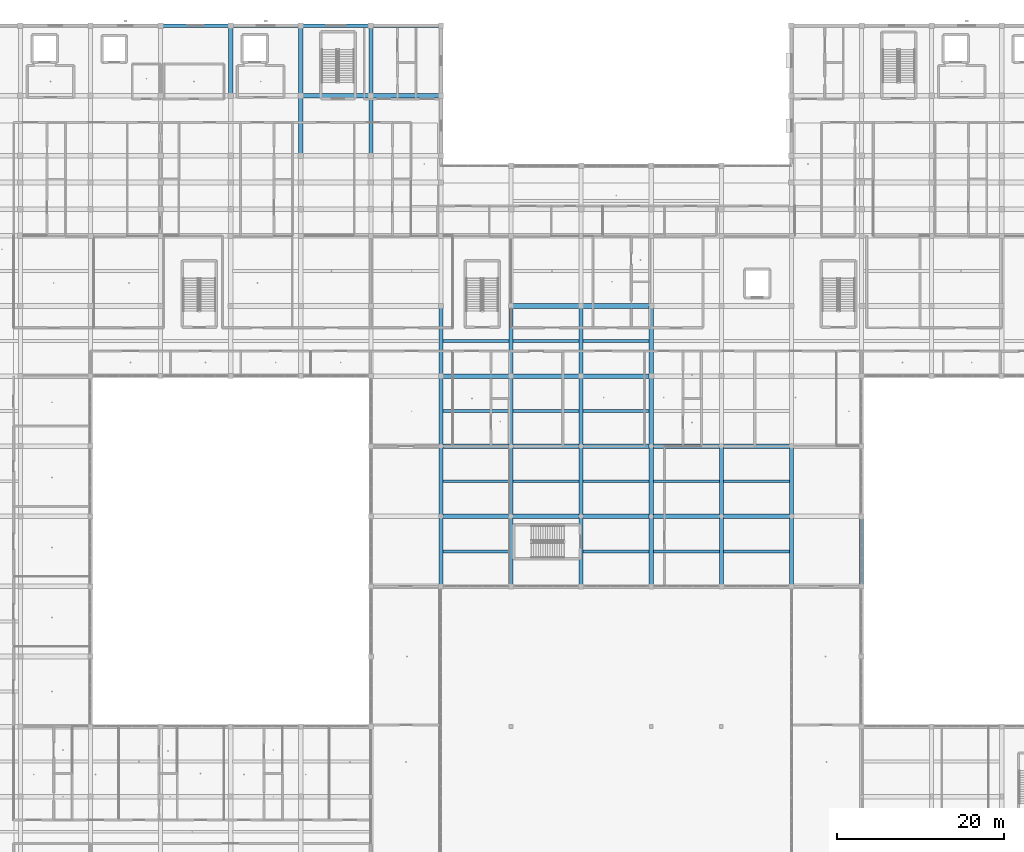
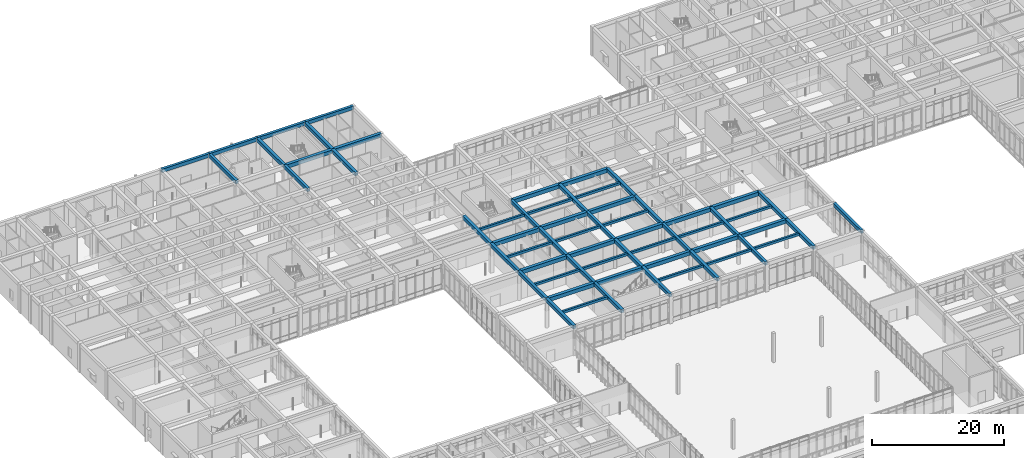
# One storey, part 37 of 157: 62 beams.
"""IFC4 building model written with IfcOpenShell, lengths in metres."""

from ifc_helpers import new_model, si_unit, direction, frame, origin, origin_2d, place, context, subcontext, project, spatial, rectangle, extrude, material, material_profile, profile_set, type_object, element, save


model = new_model("IFC4")

# Units and contexts
model_context = context("Model", 3, precision=1e-05, world=origin(), true_north=direction((0.0, 1.0)))
body_context = subcontext(model_context, "Body", "Model", "MODEL_VIEW")
ifc_project = project(units=[si_unit("LENGTHUNIT", "METRE"), si_unit("AREAUNIT", "SQUARE_METRE"), si_unit("VOLUMEUNIT", "CUBIC_METRE"), si_unit("PLANEANGLEUNIT", "RADIAN"), si_unit("MASSUNIT", "GRAM", prefix="KILO")], contexts=[model_context])

# Site, building, storey
site_placement = place(None, origin())
site = spatial("IfcSite", under=ifc_project, at=site_placement, CompositionType="ELEMENT")
building_placement = place(site_placement, origin())
building = spatial("IfcBuilding", under=site, at=building_placement, Name="Varncliffe General Hospital", CompositionType="ELEMENT")
storey_placement = place(building_placement, frame((0.0, 0.0, 5.39990234375)))
storey = spatial("IfcBuildingStorey", under=building, at=storey_placement, Name="L01", CompositionType="ELEMENT", Elevation=5.39990234375)

# Beams
ifc_material = material(Name="Concrete C35/45 (CSA A23.1 35 MPa)", Category="concrete")
ifc_material_profile_1 = material_profile(ifc_material, rectangle(XDim=0.5, YDim=0.64990234375, at=origin_2d()), Name="RC 500x650")
ifc_profile_set_1 = profile_set([ifc_material_profile_1], Name="Concrete C35/45 (CSA A23.1 35 MPa)")
beam_type_1 = type_object("IfcBeamType", Name="Beam B29 (Int RC 500x650)", PredefinedType="BEAM", material=ifc_profile_set_1)
beam_1_placement = place(storey_placement, frame((42.0, 116.39990234375, 5.0751953125), z_axis=(0.0, 1.0, 0.0), x_axis=(-1.0, 0.0, 0.0)))
element("IfcBeam", 1, at=beam_1_placement, inside=storey, type_object=beam_type_1, Name="L01 Primary Beam B29-343", PredefinedType="BEAM", context=body_context, shape_type="SweptSolid", body=[
    extrude(rectangle(XDim=0.5, YDim=0.64990234375, at=origin_2d()), origin(), (0.0, 0.0, 1.0), 8.400146484375),
])
beam_2_placement = place(storey_placement, frame((50.39990234375, 109.199951171875, 5.0751953125), z_axis=(0.0, 1.0, 0.0), x_axis=(-1.0, 0.0, 0.0)))
element("IfcBeam", 2, at=beam_2_placement, inside=storey, type_object=beam_type_1, Name="L01 Primary Beam B29-351", PredefinedType="BEAM", context=body_context, shape_type="SweptSolid", body=[
    extrude(rectangle(XDim=0.5, YDim=0.64990234375, at=origin_2d()), origin(), (0.0, 0.0, 1.0), 7.199951171875),
])
beam_3_placement = place(storey_placement, frame((50.39990234375, 116.39990234375, 5.0751953125), z_axis=(0.0, 1.0, 0.0), x_axis=(-1.0, 0.0, 0.0)))
element("IfcBeam", 3, at=beam_3_placement, inside=storey, type_object=beam_type_1, Name="L01 Primary Beam B29-352", PredefinedType="BEAM", context=body_context, shape_type="SweptSolid", body=[
    extrude(rectangle(XDim=0.5, YDim=0.64990234375, at=origin_2d()), origin(), (0.0, 0.0, 1.0), 8.400146484375),
])
beam_4_placement = place(storey_placement, frame((58.800048828125, 109.199951171875, 5.0751953125), z_axis=(0.0, 1.0, 0.0), x_axis=(-1.0, 0.0, 0.0)))
element("IfcBeam", 4, at=beam_4_placement, inside=storey, type_object=beam_type_1, Name="L01 Primary Beam B29-367", PredefinedType="BEAM", context=body_context, shape_type="SweptSolid", body=[
    extrude(rectangle(XDim=0.5, YDim=0.64990234375, at=origin_2d()), origin(), (0.0, 0.0, 1.0), 7.199951171875),
])
beam_5_placement = place(storey_placement, frame((58.800048828125, 116.39990234375, 5.0751953125), z_axis=(0.0, 1.0, 0.0), x_axis=(-1.0, 0.0, 0.0)))
element("IfcBeam", 5, at=beam_5_placement, inside=storey, type_object=beam_type_1, Name="L01 Primary Beam B29-368", PredefinedType="BEAM", context=body_context, shape_type="SweptSolid", body=[
    extrude(rectangle(XDim=0.5, YDim=0.64990234375, at=origin_2d()), origin(), (0.0, 0.0, 1.0), 8.400146484375),
])
for number, where, z_axis, x_axis, name in (
    (6, (67.199951171875, 57.60009765625, 5.0751953125), (0.0, 1.0, 0.0), (-1.0, 0.0, 0.0), "L01 Primary Beam B29-369"),
    (7, (67.199951171875, 66.0, 5.0751953125), (0.0, 1.0, 0.0), (-1.0, 0.0, 0.0), "L01 Primary Beam B29-370"),
):
    element("IfcBeam", number, at=place(storey_placement, frame(where, z_axis=z_axis, x_axis=x_axis)), inside=storey, type_object=beam_type_1, Name=name, PredefinedType="BEAM", context=body_context, shape_type="SweptSolid", body=[
        extrude(rectangle(XDim=0.5, YDim=0.64990234375, at=origin_2d()), origin(), (0.0, 0.0, 1.0), 8.39990234375),
    ])
beam_6_placement = place(storey_placement, frame((67.199951171875, 74.39990234375, 5.0751953125), z_axis=(0.0, 1.0, 0.0), x_axis=(-1.0, 0.0, 0.0)))
element("IfcBeam", 8, at=beam_6_placement, inside=storey, type_object=beam_type_1, Name="L01 Primary Beam B29-371", PredefinedType="BEAM", context=body_context, shape_type="SweptSolid", body=[
    extrude(rectangle(XDim=0.5, YDim=0.64990234375, at=origin_2d()), origin(), (0.0, 0.0, 1.0), 8.400146484375),
])
for number, where, z_axis, x_axis, name in (
    (9, (67.199951171875, 82.800048828125, 5.0751953125), (0.0, 1.0, 0.0), (-1.0, 0.0, 0.0), "L01 Primary Beam B29-372"),
    (10, (75.60009765625, 57.60009765625, 5.0751953125), (0.0, 1.0, 0.0), (-1.0, 0.0, 0.0), "L01 Primary Beam B29-379"),
    (11, (75.60009765625, 66.0, 5.0751953125), (0.0, 1.0, 0.0), (-1.0, 0.0, 0.0), "L01 Primary Beam B29-380"),
):
    element("IfcBeam", number, at=place(storey_placement, frame(where, z_axis=z_axis, x_axis=x_axis)), inside=storey, type_object=beam_type_1, Name=name, PredefinedType="BEAM", context=body_context, shape_type="SweptSolid", body=[
        extrude(rectangle(XDim=0.5, YDim=0.64990234375, at=origin_2d()), origin(), (0.0, 0.0, 1.0), 8.39990234375),
    ])
beam_7_placement = place(storey_placement, frame((75.60009765625, 74.39990234375, 5.0751953125), z_axis=(0.0, 1.0, 0.0), x_axis=(-1.0, 0.0, 0.0)))
element("IfcBeam", 12, at=beam_7_placement, inside=storey, type_object=beam_type_1, Name="L01 Primary Beam B29-381", PredefinedType="BEAM", context=body_context, shape_type="SweptSolid", body=[
    extrude(rectangle(XDim=0.5, YDim=0.64990234375, at=origin_2d()), origin(), (0.0, 0.0, 1.0), 8.400146484375),
])
for number, where, z_axis, x_axis, name in (
    (13, (75.60009765625, 82.800048828125, 5.0751953125), (0.0, 1.0, 0.0), (-1.0, 0.0, 0.0), "L01 Primary Beam B29-382"),
    (14, (84.0, 57.60009765625, 5.0751953125), (0.0, 1.0, 0.0), (-1.0, 0.0, 0.0), "L01 Primary Beam B29-386"),
    (15, (84.0, 66.0, 5.0751953125), (0.0, 1.0, 0.0), (-1.0, 0.0, 0.0), "L01 Primary Beam B29-387"),
):
    element("IfcBeam", number, at=place(storey_placement, frame(where, z_axis=z_axis, x_axis=x_axis)), inside=storey, type_object=beam_type_1, Name=name, PredefinedType="BEAM", context=body_context, shape_type="SweptSolid", body=[
        extrude(rectangle(XDim=0.5, YDim=0.64990234375, at=origin_2d()), origin(), (0.0, 0.0, 1.0), 8.39990234375),
    ])
beam_8_placement = place(storey_placement, frame((84.0, 74.39990234375, 5.0751953125), z_axis=(0.0, 1.0, 0.0), x_axis=(-1.0, 0.0, 0.0)))
element("IfcBeam", 16, at=beam_8_placement, inside=storey, type_object=beam_type_1, Name="L01 Primary Beam B29-388", PredefinedType="BEAM", context=body_context, shape_type="SweptSolid", body=[
    extrude(rectangle(XDim=0.5, YDim=0.64990234375, at=origin_2d()), origin(), (0.0, 0.0, 1.0), 8.400146484375),
])
for number, where, z_axis, x_axis, name in (
    (17, (84.0, 82.800048828125, 5.0751953125), (0.0, 1.0, 0.0), (-1.0, 0.0, 0.0), "L01 Primary Beam B29-389"),
    (18, (92.39990234375, 57.60009765625, 5.0751953125), (0.0, 1.0, 0.0), (-1.0, 0.0, 0.0), "L01 Primary Beam B29-393"),
    (19, (92.39990234375, 66.0, 5.0751953125), (0.0, 1.0, 0.0), (-1.0, 0.0, 0.0), "L01 Primary Beam B29-394"),
):
    element("IfcBeam", number, at=place(storey_placement, frame(where, z_axis=z_axis, x_axis=x_axis)), inside=storey, type_object=beam_type_1, Name=name, PredefinedType="BEAM", context=body_context, shape_type="SweptSolid", body=[
        extrude(rectangle(XDim=0.5, YDim=0.64990234375, at=origin_2d()), origin(), (0.0, 0.0, 1.0), 8.39990234375),
    ])
beam_9_placement = place(storey_placement, frame((92.39990234375, 74.39990234375, 5.0751953125), z_axis=(0.0, 1.0, 0.0), x_axis=(-1.0, 0.0, 0.0)))
element("IfcBeam", 20, at=beam_9_placement, inside=storey, type_object=beam_type_1, Name="L01 Primary Beam B29-395", PredefinedType="BEAM", context=body_context, shape_type="SweptSolid", body=[
    extrude(rectangle(XDim=0.5, YDim=0.64990234375, at=origin_2d()), origin(), (0.0, 0.0, 1.0), 8.400146484375),
])
for number, where, z_axis, x_axis, name in (
    (21, (92.39990234375, 82.800048828125, 5.0751953125), (0.0, 1.0, 0.0), (-1.0, 0.0, 0.0), "L01 Primary Beam B29-396"),
    (22, (100.800048828125, 57.60009765625, 5.0751953125), (0.0, 1.0, 0.0), (-1.0, 0.0, 0.0), "L01 Primary Beam B29-400"),
    (23, (100.800048828125, 66.0, 5.0751953125), (0.0, 1.0, 0.0), (-1.0, 0.0, 0.0), "L01 Primary Beam B29-401"),
    (24, (109.199951171875, 57.60009765625, 5.0751953125), (0.0, 1.0, 0.0), (-1.0, 0.0, 0.0), "L01 Primary Beam B29-407"),
    (25, (109.199951171875, 66.0, 5.0751953125), (0.0, 1.0, 0.0), (-1.0, 0.0, 0.0), "L01 Primary Beam B29-408"),
):
    element("IfcBeam", number, at=place(storey_placement, frame(where, z_axis=z_axis, x_axis=x_axis)), inside=storey, type_object=beam_type_1, Name=name, PredefinedType="BEAM", context=body_context, shape_type="SweptSolid", body=[
        extrude(rectangle(XDim=0.5, YDim=0.64990234375, at=origin_2d()), origin(), (0.0, 0.0, 1.0), 8.39990234375),
    ])
ifc_material_profile_2 = material_profile(ifc_material, rectangle(XDim=0.550048828125, YDim=0.699951171875, at=origin_2d()), Name="RC 550x700")
ifc_profile_set_2 = profile_set([ifc_material_profile_2], Name="Concrete C35/45 (CSA A23.1 35 MPa)")
beam_type_2 = type_object("IfcBeamType", Name="Beam B35 (Int RC 550x700)", PredefinedType="BEAM", material=ifc_profile_set_2)
beam_10_placement = place(storey_placement, frame((67.199951171875, 66.0, 5.050048828125), z_axis=(1.0, 0.0, 0.0), x_axis=(0.0, 1.0, 0.0)))
element("IfcBeam", 26, at=beam_10_placement, inside=storey, type_object=beam_type_2, Name="L01 Primary Beam B35-90", PredefinedType="BEAM", context=body_context, shape_type="SweptSolid", body=[
    extrude(rectangle(XDim=0.550048828125, YDim=0.699951171875, at=origin_2d()), origin(), (0.0, 0.0, 1.0), 8.400146484375),
])
for number, where, z_axis, x_axis, name in (
    (27, (75.60009765625, 66.0, 5.050048828125), (1.0, 0.0, 0.0), (0.0, 1.0, 0.0), "L01 Primary Beam B35-91"),
    (28, (84.0, 66.0, 5.050048828125), (1.0, 0.0, 0.0), (0.0, 1.0, 0.0), "L01 Primary Beam B35-92"),
):
    element("IfcBeam", number, at=place(storey_placement, frame(where, z_axis=z_axis, x_axis=x_axis)), inside=storey, type_object=beam_type_2, Name=name, PredefinedType="BEAM", context=body_context, shape_type="SweptSolid", body=[
        extrude(rectangle(XDim=0.550048828125, YDim=0.699951171875, at=origin_2d()), origin(), (0.0, 0.0, 1.0), 8.39990234375),
    ])
beam_11_placement = place(storey_placement, frame((92.39990234375, 66.0, 5.050048828125), z_axis=(1.0, 0.0, 0.0), x_axis=(0.0, 1.0, 0.0)))
element("IfcBeam", 29, at=beam_11_placement, inside=storey, type_object=beam_type_2, Name="L01 Primary Beam B35-93", PredefinedType="BEAM", context=body_context, shape_type="SweptSolid", body=[
    extrude(rectangle(XDim=0.550048828125, YDim=0.699951171875, at=origin_2d()), origin(), (0.0, 0.0, 1.0), 8.400146484375),
])
beam_12_placement = place(storey_placement, frame((100.800048828125, 66.0, 5.050048828125), z_axis=(1.0, 0.0, 0.0), x_axis=(0.0, 1.0, 0.0)))
element("IfcBeam", 30, at=beam_12_placement, inside=storey, type_object=beam_type_2, Name="L01 Primary Beam B35-94", PredefinedType="BEAM", context=body_context, shape_type="SweptSolid", body=[
    extrude(rectangle(XDim=0.550048828125, YDim=0.699951171875, at=origin_2d()), origin(), (0.0, 0.0, 1.0), 8.39990234375),
])
beam_13_placement = place(storey_placement, frame((67.199951171875, 74.39990234375, 5.050048828125), z_axis=(1.0, 0.0, 0.0), x_axis=(0.0, 1.0, 0.0)))
element("IfcBeam", 31, at=beam_13_placement, inside=storey, type_object=beam_type_2, Name="L01 Primary Beam B35-103", PredefinedType="BEAM", context=body_context, shape_type="SweptSolid", body=[
    extrude(rectangle(XDim=0.550048828125, YDim=0.699951171875, at=origin_2d()), origin(), (0.0, 0.0, 1.0), 8.400146484375),
])
for number, where, z_axis, x_axis, name in (
    (32, (75.60009765625, 74.39990234375, 5.050048828125), (1.0, 0.0, 0.0), (0.0, 1.0, 0.0), "L01 Primary Beam B35-104"),
    (33, (84.0, 74.39990234375, 5.050048828125), (1.0, 0.0, 0.0), (0.0, 1.0, 0.0), "L01 Primary Beam B35-105"),
):
    element("IfcBeam", number, at=place(storey_placement, frame(where, z_axis=z_axis, x_axis=x_axis)), inside=storey, type_object=beam_type_2, Name=name, PredefinedType="BEAM", context=body_context, shape_type="SweptSolid", body=[
        extrude(rectangle(XDim=0.550048828125, YDim=0.699951171875, at=origin_2d()), origin(), (0.0, 0.0, 1.0), 8.39990234375),
    ])
beam_14_placement = place(storey_placement, frame((92.39990234375, 74.39990234375, 5.050048828125), z_axis=(1.0, 0.0, 0.0), x_axis=(0.0, 1.0, 0.0)))
element("IfcBeam", 34, at=beam_14_placement, inside=storey, type_object=beam_type_2, Name="L01 Primary Beam B35-106", PredefinedType="BEAM", context=body_context, shape_type="SweptSolid", body=[
    extrude(rectangle(XDim=0.550048828125, YDim=0.699951171875, at=origin_2d()), origin(), (0.0, 0.0, 1.0), 8.400146484375),
])
beam_15_placement = place(storey_placement, frame((100.800048828125, 74.39990234375, 5.050048828125), z_axis=(1.0, 0.0, 0.0), x_axis=(0.0, 1.0, 0.0)))
element("IfcBeam", 35, at=beam_15_placement, inside=storey, type_object=beam_type_2, Name="L01 Primary Beam B35-107", PredefinedType="BEAM", context=body_context, shape_type="SweptSolid", body=[
    extrude(rectangle(XDim=0.550048828125, YDim=0.699951171875, at=origin_2d()), origin(), (0.0, 0.0, 1.0), 8.39990234375),
])
beam_16_placement = place(storey_placement, frame((67.199951171875, 82.800048828125, 5.050048828125), z_axis=(1.0, 0.0, 0.0), x_axis=(0.0, 1.0, 0.0)))
element("IfcBeam", 36, at=beam_16_placement, inside=storey, type_object=beam_type_2, Name="L01 Primary Beam B35-120", PredefinedType="BEAM", context=body_context, shape_type="SweptSolid", body=[
    extrude(rectangle(XDim=0.550048828125, YDim=0.699951171875, at=origin_2d()), origin(), (0.0, 0.0, 1.0), 8.400146484375),
])
for number, where, z_axis, x_axis, name in (
    (37, (75.60009765625, 82.800048828125, 5.050048828125), (1.0, 0.0, 0.0), (0.0, 1.0, 0.0), "L01 Primary Beam B35-121"),
    (38, (84.0, 82.800048828125, 5.050048828125), (1.0, 0.0, 0.0), (0.0, 1.0, 0.0), "L01 Primary Beam B35-122"),
    (39, (75.60009765625, 91.199951171875, 5.050048828125), (1.0, 0.0, 0.0), (0.0, 1.0, 0.0), "L01 Primary Beam B35-140"),
    (40, (84.0, 91.199951171875, 5.050048828125), (1.0, 0.0, 0.0), (0.0, 1.0, 0.0), "L01 Primary Beam B35-141"),
):
    element("IfcBeam", number, at=place(storey_placement, frame(where, z_axis=z_axis, x_axis=x_axis)), inside=storey, type_object=beam_type_2, Name=name, PredefinedType="BEAM", context=body_context, shape_type="SweptSolid", body=[
        extrude(rectangle(XDim=0.550048828125, YDim=0.699951171875, at=origin_2d()), origin(), (0.0, 0.0, 1.0), 8.39990234375),
    ])
beam_17_placement = place(storey_placement, frame((50.39990234375, 116.39990234375, 5.050048828125), z_axis=(1.0, 0.0, 0.0), x_axis=(0.0, 1.0, 0.0)))
element("IfcBeam", 41, at=beam_17_placement, inside=storey, type_object=beam_type_2, Name="L01 Primary Beam B35-233", PredefinedType="BEAM", context=body_context, shape_type="SweptSolid", body=[
    extrude(rectangle(XDim=0.550048828125, YDim=0.699951171875, at=origin_2d()), origin(), (0.0, 0.0, 1.0), 8.400146484375),
])
beam_18_placement = place(storey_placement, frame((58.800048828125, 116.39990234375, 5.050048828125), z_axis=(1.0, 0.0, 0.0), x_axis=(0.0, 1.0, 0.0)))
element("IfcBeam", 42, at=beam_18_placement, inside=storey, type_object=beam_type_2, Name="L01 Primary Beam B35-234", PredefinedType="BEAM", context=body_context, shape_type="SweptSolid", body=[
    extrude(rectangle(XDim=0.550048828125, YDim=0.699951171875, at=origin_2d()), origin(), (0.0, 0.0, 1.0), 8.39990234375),
])
ifc_material_profile_3 = material_profile(ifc_material, rectangle(XDim=0.35009765625, YDim=0.449951171875, at=origin_2d()), Name="RC 350x450")
ifc_profile_set_3 = profile_set([ifc_material_profile_3], Name="Concrete C35/45 (CSA A23.1 35 MPa)")
beam_type_3 = type_object("IfcBeamType", Name="Joist J55 (Int RC 350x450)", PredefinedType="JOIST", material=ifc_profile_set_3)
for number, where, z_axis, x_axis, name in (
    (43, (67.447998046875, 61.800048828125, 5.175048828125), (1.0, 0.0, 0.0), (0.0, 1.0, 0.0), "L01 Secondary Floor Rib J55-32"),
    (44, (67.447998046875, 70.199951171875, 5.175048828125), (1.0, 0.0, 0.0), (0.0, 1.0, 0.0), "L01 Secondary Floor Rib J55-33"),
    (45, (67.447998046875, 78.60009765625, 5.175048828125), (1.0, 0.0, 0.0), (0.0, 1.0, 0.0), "L01 Secondary Floor Rib J55-34"),
    (46, (67.447998046875, 87.0, 5.175048828125), (1.0, 0.0, 0.0), (0.0, 1.0, 0.0), "L01 Secondary Floor Rib J55-35"),
    (47, (75.847900390625, 70.199951171875, 5.175048828125), (1.0, 0.0, 0.0), (0.0, 1.0, 0.0), "L01 Secondary Floor Rib J55-36"),
    (48, (75.847900390625, 78.60009765625, 5.175048828125), (1.0, 0.0, 0.0), (0.0, 1.0, 0.0), "L01 Secondary Floor Rib J55-37"),
    (49, (75.847900390625, 87.0, 5.175048828125), (1.0, 0.0, 0.0), (0.0, 1.0, 0.0), "L01 Secondary Floor Rib J55-38"),
    (50, (84.248046875, 61.800048828125, 5.175048828125), (1.0, 0.0, 0.0), (0.0, 1.0, 0.0), "L01 Secondary Floor Rib J55-41"),
    (51, (84.248046875, 70.199951171875, 5.175048828125), (1.0, 0.0, 0.0), (0.0, 1.0, 0.0), "L01 Secondary Floor Rib J55-42"),
    (52, (84.248046875, 78.60009765625, 5.175048828125), (1.0, 0.0, 0.0), (0.0, 1.0, 0.0), "L01 Secondary Floor Rib J55-43"),
    (53, (84.248046875, 87.0, 5.175048828125), (1.0, 0.0, 0.0), (0.0, 1.0, 0.0), "L01 Secondary Floor Rib J55-44"),
    (54, (92.64794921875, 61.800048828125, 5.175048828125), (1.0, 0.0, 0.0), (0.0, 1.0, 0.0), "L01 Secondary Floor Rib J55-47"),
    (55, (92.64794921875, 70.199951171875, 5.175048828125), (1.0, 0.0, 0.0), (0.0, 1.0, 0.0), "L01 Secondary Floor Rib J55-48"),
):
    element("IfcBeam", number, at=place(storey_placement, frame(where, z_axis=z_axis, x_axis=x_axis)), inside=storey, type_object=beam_type_3, Name=name, PredefinedType="JOIST", context=body_context, shape_type="SweptSolid", body=[
        extrude(rectangle(XDim=0.35009765625, YDim=0.449951171875, at=origin_2d()), origin(), (0.0, 0.0, 1.0), 7.904052734375),
    ])
for number, where, z_axis, x_axis, name in (
    (56, (101.048095703125, 61.800048828125, 5.175048828125), (1.0, 0.0, 0.0), (0.0, 1.0, 0.0), "L01 Secondary Floor Rib J55-53"),
    (57, (101.048095703125, 70.199951171875, 5.175048828125), (1.0, 0.0, 0.0), (0.0, 1.0, 0.0), "L01 Secondary Floor Rib J55-54"),
):
    element("IfcBeam", number, at=place(storey_placement, frame(where, z_axis=z_axis, x_axis=x_axis)), inside=storey, type_object=beam_type_3, Name=name, PredefinedType="JOIST", context=body_context, shape_type="SweptSolid", body=[
        extrude(rectangle(XDim=0.35009765625, YDim=0.449951171875, at=origin_2d()), origin(), (0.0, 0.0, 1.0), 7.90380859375),
    ])
ifc_material_profile_4 = material_profile(ifc_material, rectangle(XDim=0.449951171875, YDim=0.64990234375, at=origin_2d()), Name="RC 450x650")
ifc_profile_set_4 = profile_set([ifc_material_profile_4], Name="Concrete C35/45 (CSA A23.1 35 MPa)")
beam_type_4 = type_object("IfcBeamType", Name="Spandrel SP38 (Ext RC 450x650B)", PredefinedType="SPANDREL", material=ifc_profile_set_4)
for number, where, z_axis, x_axis, name in (
    (58, (33.60009765625, 124.800048828125, 5.0751953125), (1.0, 0.0, 0.0), (0.0, 1.0, 0.0), "L01 Spandrel Beam SP38-247"),
    (59, (42.0, 124.800048828125, 5.0751953125), (1.0, 0.0, 0.0), (0.0, 1.0, 0.0), "L01 Spandrel Beam SP38-248"),
):
    element("IfcBeam", number, at=place(storey_placement, frame(where, z_axis=z_axis, x_axis=x_axis)), inside=storey, type_object=beam_type_4, Name=name, PredefinedType="SPANDREL", context=body_context, shape_type="SweptSolid", body=[
        extrude(rectangle(XDim=0.449951171875, YDim=0.64990234375, at=origin_2d()), origin(), (0.0, 0.0, 1.0), 8.39990234375),
    ])
beam_19_placement = place(storey_placement, frame((50.39990234375, 124.800048828125, 5.0751953125), z_axis=(1.0, 0.0, 0.0), x_axis=(0.0, 1.0, 0.0)))
element("IfcBeam", 60, at=beam_19_placement, inside=storey, type_object=beam_type_4, Name="L01 Spandrel Beam SP38-249", PredefinedType="SPANDREL", context=body_context, shape_type="SweptSolid", body=[
    extrude(rectangle(XDim=0.449951171875, YDim=0.64990234375, at=origin_2d()), origin(), (0.0, 0.0, 1.0), 8.400146484375),
])
for number, where, z_axis, x_axis, name in (
    (61, (58.800048828125, 124.800048828125, 5.0751953125), (1.0, 0.0, 0.0), (0.0, 1.0, 0.0), "L01 Spandrel Beam SP38-250"),
    (62, (117.60009765625, 57.60009765625, 5.0751953125), (0.0, 1.0, 0.0), (-1.0, 0.0, 0.0), "L01 Spandrel Beam SP38-423"),
):
    element("IfcBeam", number, at=place(storey_placement, frame(where, z_axis=z_axis, x_axis=x_axis)), inside=storey, type_object=beam_type_4, Name=name, PredefinedType="SPANDREL", context=body_context, shape_type="SweptSolid", body=[
        extrude(rectangle(XDim=0.449951171875, YDim=0.64990234375, at=origin_2d()), origin(), (0.0, 0.0, 1.0), 8.39990234375),
    ])

save(model, "model.ifc")
